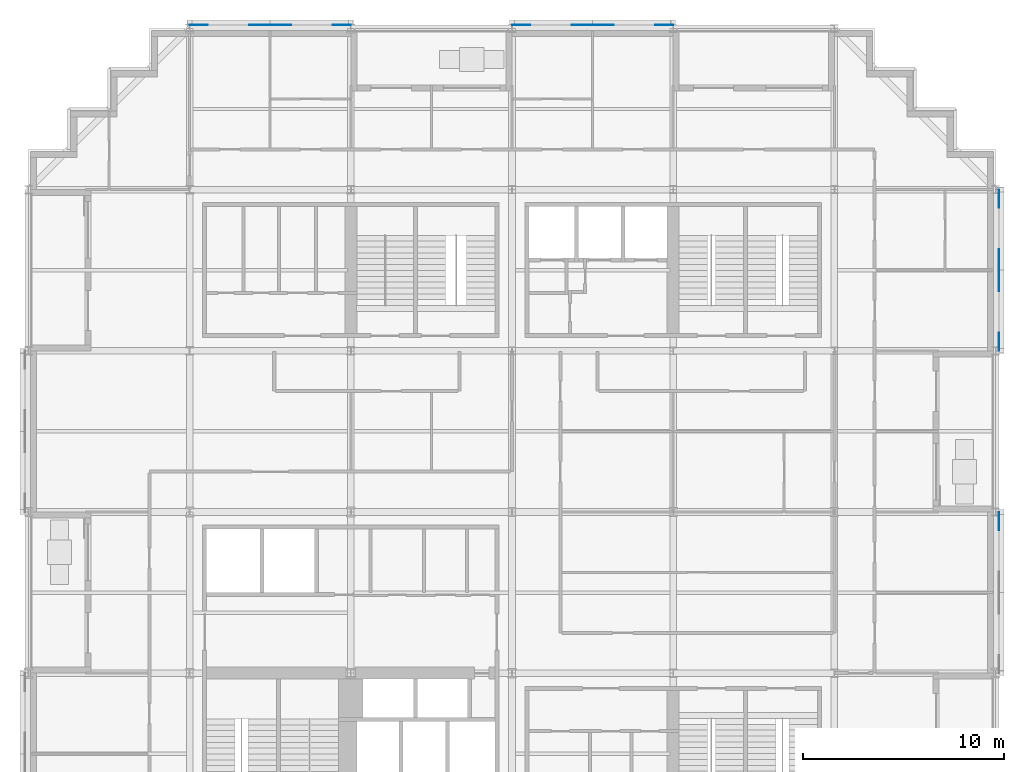
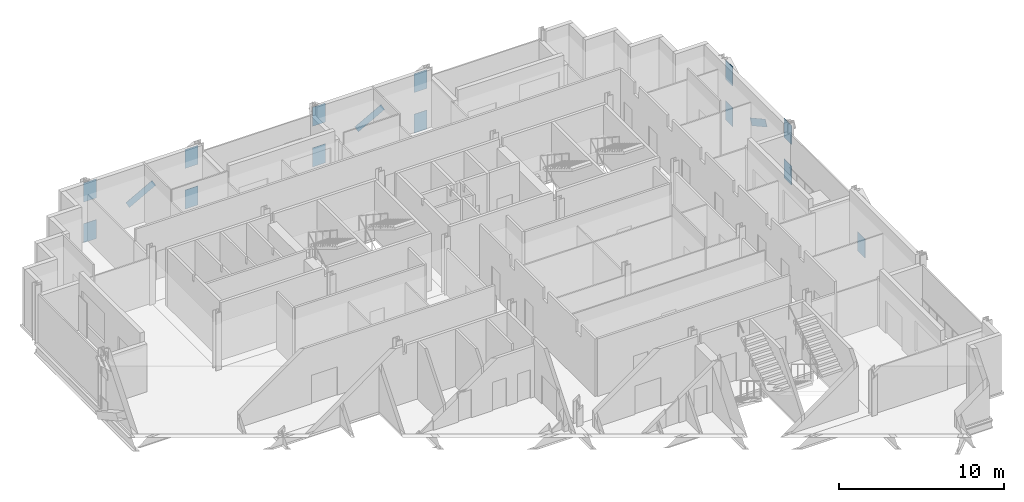
# One storey, part 12 of 15: 16 discrete accessories.
"""IFC4 building model written with IfcOpenShell, lengths in metres."""

from ifc_helpers import new_model, si_unit, direction, frame, origin, origin_2d, place, context, subcontext, project, spatial, rectangle, extrude, material, material_profile, profile_set, type_object, element, save


model = new_model("IFC4")

# Units and contexts
model_context = context("Model", 3, precision=1e-05, world=origin(), true_north=direction((0.0, 1.0)))
body_context = subcontext(model_context, "Body", "Model", "MODEL_VIEW")
ifc_project = project(units=[si_unit("LENGTHUNIT", "METRE"), si_unit("AREAUNIT", "SQUARE_METRE"), si_unit("VOLUMEUNIT", "CUBIC_METRE"), si_unit("PLANEANGLEUNIT", "RADIAN"), si_unit("MASSUNIT", "GRAM", prefix="KILO")], contexts=[model_context])

# Site, building, storey
site_placement = place(None, origin())
site = spatial("IfcSite", under=ifc_project, at=site_placement, CompositionType="ELEMENT")
building_placement = place(site_placement, origin())
building = spatial("IfcBuilding", under=site, at=building_placement, Name="Immortelle Media Tower", CompositionType="ELEMENT")
storey_placement = place(building_placement, frame((0.0, 0.0, 61.199951171875)))
storey = spatial("IfcBuildingStorey", under=building, at=storey_placement, Name="L10", CompositionType="ELEMENT", Elevation=61.199951171875)

# Discrete accessories
ifc_material = material(Name="Steel ASTM A572 Gr 50", Category="steel")
ifc_material_profile_1 = material_profile(ifc_material, rectangle(XDim=0.02392578125, YDim=0.508056640625, at=origin_2d()), Name="PL 24 x 508")
ifc_profile_set_1 = profile_set([ifc_material_profile_1], Name="Steel ASTM A572 Gr 50")
discrete_accessory_type_1 = type_object("IfcDiscreteAccessoryType", Name="Crossing plate XP-BR2 2100 x 508 x 24", PredefinedType="USERDEFINED", material=ifc_profile_set_1)
for number, where, z_axis, x_axis, name in (
    (1, (48.1640625, 35.080078125, 2.208984375), (0.0, 0.876107886529, -0.48211510157), (-1.0, 0.0, 0.0), "Crossing plate XP-BR2 of Brace 7/E-F A and Brace 7/E-F B"),
    (2, (28.919921875, 48.1640625, 2.208984375), (-0.876107886529, 0.0, -0.48211510157), (0.0, -1.0, 0.0), "Crossing plate XP-BR2 of Brace G/4-5 A and Brace G/4-5 B"),
    (3, (12.919921875, 48.1640625, 2.208984375), (-0.876107886529, 0.0, -0.48211510157), (0.0, -1.0, 0.0), "Crossing plate XP-BR2 of Brace G/2-3 A and Brace G/2-3 B"),
):
    element("IfcDiscreteAccessory", number, at=place(storey_placement, frame(where, z_axis=z_axis, x_axis=x_axis)), inside=storey, type_object=discrete_accessory_type_1, Name=name, ObjectType="CROSSING PLATE", PredefinedType="USERDEFINED", context=body_context, shape_type="SweptSolid", body=[
        extrude(rectangle(XDim=0.02392578125, YDim=0.508056640625, at=origin_2d()), origin(), (0.0, 0.0, 1.0), 2.10009765625),
    ])
ifc_material_profile_2 = material_profile(ifc_material, rectangle(XDim=0.031982421875, YDim=1.39990234375, at=origin_2d()), Name="PL 32 x 1400")
ifc_profile_set_2 = profile_set([ifc_material_profile_2], Name="Steel ASTM A572 Gr 50")
discrete_accessory_type_2 = type_object("IfcDiscreteAccessoryType", Name="Gusset plate GP1 900 x 1400 x 32", PredefinedType="USERDEFINED", material=ifc_profile_set_2)
for number, where, z_axis, x_axis, name in (
    (4, (48.1640625, 24.0, 0.2021484375), (0.0, -1.0, 0.0), (1.0, 0.0, 0.0), "Gusset plate GP1, lower end of Brace 7/C-D B"),
    (5, (48.1640625, 32.0, 0.2021484375), (0.0, 1.0, 0.0), (-1.0, 0.0, 0.0), "Gusset plate GP1, lower end of Brace 7/E-F A"),
    (6, (48.1640625, 40.0, 3.20361328125), (0.0, -1.0, 0.0), (1.0, 0.0, 0.0), "Gusset plate GP1, upper end of Brace 7/E-F A"),
    (7, (48.1640625, 40.0, 0.2021484375), (0.0, -1.0, 0.0), (1.0, 0.0, 0.0), "Gusset plate GP1, lower end of Brace 7/E-F B"),
    (8, (48.1640625, 32.0, 3.20361328125), (0.0, 1.0, 0.0), (-1.0, 0.0, 0.0), "Gusset plate GP1, upper end of Brace 7/E-F B"),
    (9, (32.0, 48.1640625, 0.2021484375), (-1.0, 0.0, 0.0), (0.0, -1.0, 0.0), "Gusset plate GP1, lower end of Brace G/4-5 A"),
    (10, (24.0, 48.1640625, 3.20361328125), (1.0, 0.0, 0.0), (0.0, 1.0, 0.0), "Gusset plate GP1, upper end of Brace G/4-5 A"),
    (11, (24.0, 48.1640625, 0.2021484375), (1.0, 0.0, 0.0), (0.0, 1.0, 0.0), "Gusset plate GP1, lower end of Brace G/4-5 B"),
    (12, (32.0, 48.1640625, 3.20361328125), (-1.0, 0.0, 0.0), (0.0, -1.0, 0.0), "Gusset plate GP1, upper end of Brace G/4-5 B"),
    (13, (16.0, 48.1640625, 0.2021484375), (-1.0, 0.0, 0.0), (0.0, -1.0, 0.0), "Gusset plate GP1, lower end of Brace G/2-3 A"),
    (14, (8.0, 48.1640625, 3.20361328125), (1.0, 0.0, 0.0), (0.0, 1.0, 0.0), "Gusset plate GP1, upper end of Brace G/2-3 A"),
    (15, (8.0, 48.1640625, 0.2021484375), (1.0, 0.0, 0.0), (0.0, 1.0, 0.0), "Gusset plate GP1, lower end of Brace G/2-3 B"),
    (16, (16.0, 48.1640625, 3.20361328125), (-1.0, 0.0, 0.0), (0.0, -1.0, 0.0), "Gusset plate GP1, upper end of Brace G/2-3 B"),
):
    element("IfcDiscreteAccessory", number, at=place(storey_placement, frame(where, z_axis=z_axis, x_axis=x_axis)), inside=storey, type_object=discrete_accessory_type_2, Name=name, ObjectType="GUSSET PLATE", PredefinedType="USERDEFINED", context=body_context, shape_type="SweptSolid", body=[
        extrude(rectangle(XDim=0.031982421875, YDim=1.39990234375, at=origin_2d()), origin(), (0.0, 0.0, 1.0), 0.89990234375),
    ])

save(model, "model.ifc")
